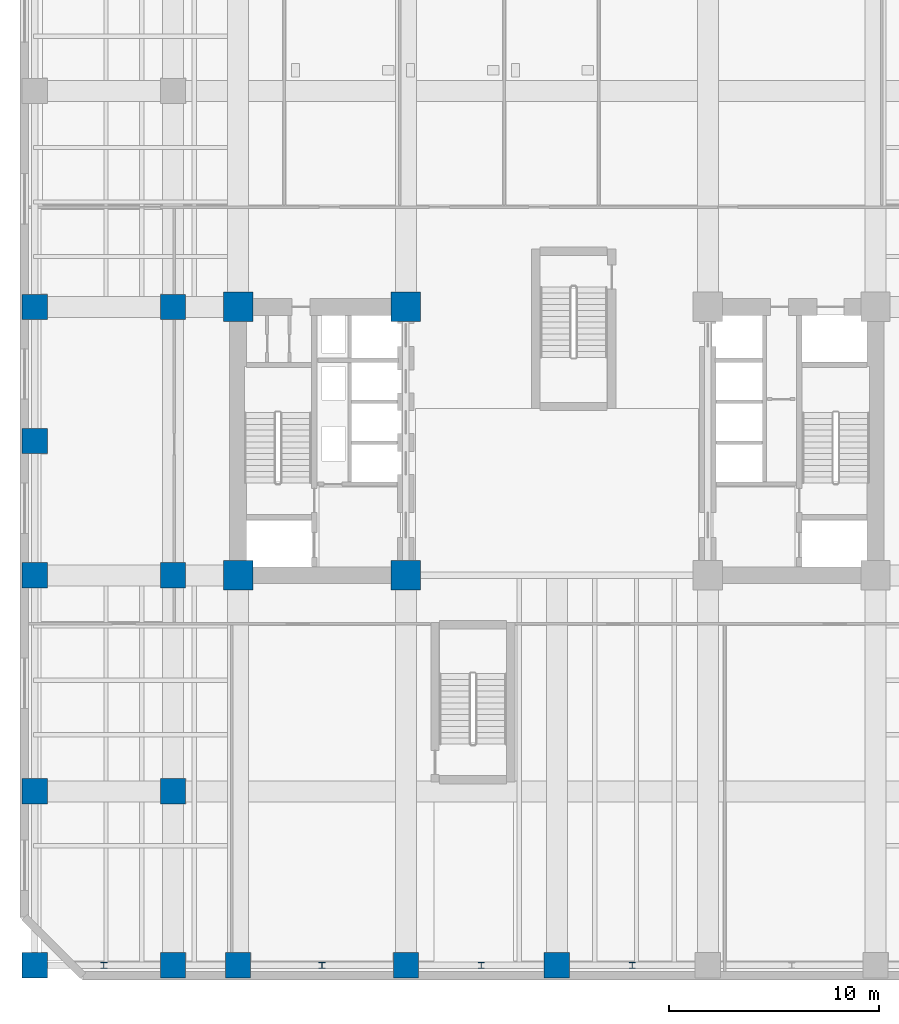
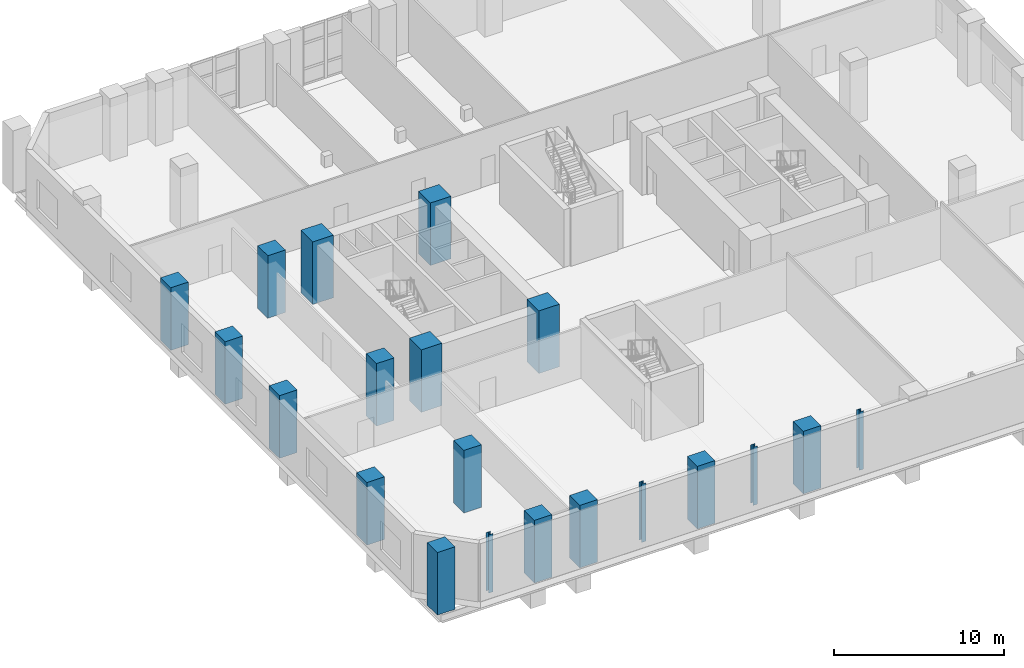
# One storey, part 1 of 15: 20 columns.
"""IFC4 building model written with IfcOpenShell, lengths in metres."""

from ifc_helpers import new_model, si_unit, direction, frame, origin, origin_2d, place, context, subcontext, project, spatial, rectangle, i_section, extrude, material, material_profile, profile_set, type_object, element, save


model = new_model("IFC4")

# Units and contexts
model_context = context("Model", 3, precision=1e-05, world=origin(), true_north=direction((0.0, 1.0)))
body_context = subcontext(model_context, "Body", "Model", "MODEL_VIEW")
ifc_project = project(units=[si_unit("LENGTHUNIT", "METRE"), si_unit("AREAUNIT", "SQUARE_METRE"), si_unit("VOLUMEUNIT", "CUBIC_METRE"), si_unit("PLANEANGLEUNIT", "RADIAN"), si_unit("MASSUNIT", "GRAM", prefix="KILO")], contexts=[model_context])

# Site, building, storey
site_placement = place(None, origin())
site = spatial("IfcSite", under=ifc_project, at=site_placement, CompositionType="ELEMENT")
building_placement = place(site_placement, origin())
building = spatial("IfcBuilding", under=site, at=building_placement, Name="Kranthara Brick Stack", CompositionType="ELEMENT")
storey_placement = place(building_placement, frame((0.0, 0.0, 5.39990234375)))
storey = spatial("IfcBuildingStorey", under=building, at=storey_placement, Name="L01", CompositionType="ELEMENT", Elevation=5.39990234375)

# Columns
ifc_material_1 = material(Name="Concrete C70/85", Category="concrete")
ifc_material_profile_1 = material_profile(ifc_material_1, rectangle(XDim=1.39990234375, YDim=1.39990234375, at=origin_2d()), Name="RC 1400x1400")
ifc_profile_set_1 = profile_set([ifc_material_profile_1], Name="Concrete C70/85")
column_type_1 = type_object("IfcColumnType", Name="COL-CORE-1400", PredefinedType="COLUMN", material=ifc_profile_set_1)
for number, where, z_axis, x_axis, name in (
    (1, (12.800048828125, 20.800048828125, 0.0), (0.0, 0.0, 1.0), (1.0, 0.0, 0.0), "L01 Column 01"),
    (2, (20.800048828125, 20.800048828125, 0.0), (0.0, 0.0, 1.0), (1.0, 0.0, 0.0), "L01 Column 02"),
    (3, (12.800048828125, 33.60009765625, 0.0), (0.0, 0.0, 1.0), (1.0, 0.0, 0.0), "L01 Column 03"),
    (4, (20.800048828125, 33.60009765625, 0.0), (0.0, 0.0, 1.0), (1.0, 0.0, 0.0), "L01 Column 04"),
):
    element("IfcColumn", number, at=place(storey_placement, frame(where, z_axis=z_axis, x_axis=x_axis)), inside=storey, type_object=column_type_1, Name=name, PredefinedType="COLUMN", context=body_context, shape_type="SweptSolid", body=[
        extrude(rectangle(XDim=1.39990234375, YDim=1.39990234375, at=origin_2d()), origin(), (0.0, 0.0, 1.0), 4.5),
    ])
ifc_material_2 = material(Name="Steel S355", Category="steel")
ifc_material_profile_2 = material_profile(ifc_material_2, i_section(OverallWidth=0.300048828125, OverallDepth=0.300048828125, WebThickness=0.010986328125, FlangeThickness=0.01904296875, at=origin_2d()), Name="HEB 300")
ifc_profile_set_2 = profile_set([ifc_material_profile_2], Name="Steel S355")
column_type_2 = type_object("IfcColumnType", Name="COL-PIL-HEB300", PredefinedType="PILASTER", material=ifc_profile_set_2)
for number, where, z_axis, x_axis, name in (
    (5, (6.39990234375, 2.199951171875, 0.0), (0.0, 0.0, 1.0), (1.0, 0.0, 0.0), "L01 Facade Pilaster 01"),
    (6, (16.800048828125, 2.199951171875, 0.0), (0.0, 0.0, 1.0), (1.0, 0.0, 0.0), "L01 Facade Pilaster 02"),
    (7, (24.39990234375, 2.199951171875, 0.0), (0.0, 0.0, 1.0), (1.0, 0.0, 0.0), "L01 Facade Pilaster 03"),
    (8, (31.60009765625, 2.199951171875, 0.0), (0.0, 0.0, 1.0), (1.0, 0.0, 0.0), "L01 Facade Pilaster 04"),
):
    element("IfcColumn", number, at=place(storey_placement, frame(where, z_axis=z_axis, x_axis=x_axis)), inside=storey, type_object=column_type_2, Name=name, PredefinedType="PILASTER", context=body_context, shape_type="SweptSolid", body=[
        extrude(i_section(OverallWidth=0.300048828125, OverallDepth=0.300048828125, WebThickness=0.010986328125, FlangeThickness=0.01904296875, at=origin_2d()), origin(), (0.0, 0.0, 1.0), 4.18017578125),
    ])
ifc_material_3 = material(Name="Concrete C70/85", Category="concrete")
ifc_material_profile_3 = material_profile(ifc_material_3, rectangle(XDim=1.199951171875, YDim=1.199951171875, at=origin_2d()), Name="RC 1200x1200")
ifc_profile_set_3 = profile_set([ifc_material_profile_3], Name="Concrete C70/85")
column_type_3 = type_object("IfcColumnType", Name="COL-RC-1200", PredefinedType="COLUMN", material=ifc_profile_set_3)
for number, where, z_axis, x_axis, name in (
    (9, (3.10009765625, 2.199951171875, 0.0), (0.0, 0.0, 1.0), (1.0, 0.0, 0.0), "L01 Column 09"),
    (10, (9.699951171875, 2.199951171875, 0.0), (0.0, 0.0, 1.0), (1.0, 0.0, 0.0), "L01 Column 11"),
    (11, (12.800048828125, 2.199951171875, 0.0), (0.0, 0.0, 1.0), (1.0, 0.0, 0.0), "L01 Column 13"),
    (12, (20.800048828125, 2.199951171875, 0.0), (0.0, 0.0, 1.0), (1.0, 0.0, 0.0), "L01 Column 15"),
    (13, (28.0, 2.199951171875, 0.0), (0.0, 0.0, 1.0), (1.0, 0.0, 0.0), "L01 Column 17"),
    (14, (3.10009765625, 10.5, 0.0), (0.0, 0.0, 1.0), (1.0, 0.0, 0.0), "L01 Column 27"),
    (15, (3.10009765625, 20.800048828125, 0.0), (0.0, 0.0, 1.0), (1.0, 0.0, 0.0), "L01 Column 29"),
    (16, (3.10009765625, 27.199951171875, 0.0), (0.0, 0.0, 1.0), (1.0, 0.0, 0.0), "L01 Column 31"),
    (17, (3.10009765625, 33.60009765625, 0.0), (0.0, 0.0, 1.0), (1.0, 0.0, 0.0), "L01 Column 33"),
    (18, (9.699951171875, 10.5, 0.0), (0.0, 0.0, 1.0), (1.0, 0.0, 0.0), "L01 Column 37"),
    (19, (9.699951171875, 20.800048828125, 0.0), (0.0, 0.0, 1.0), (1.0, 0.0, 0.0), "L01 Column 38"),
    (20, (9.699951171875, 33.60009765625, 0.0), (0.0, 0.0, 1.0), (1.0, 0.0, 0.0), "L01 Column 39"),
):
    element("IfcColumn", number, at=place(storey_placement, frame(where, z_axis=z_axis, x_axis=x_axis)), inside=storey, type_object=column_type_3, Name=name, PredefinedType="COLUMN", context=body_context, shape_type="SweptSolid", body=[
        extrude(rectangle(XDim=1.199951171875, YDim=1.199951171875, at=origin_2d()), origin(), (0.0, 0.0, 1.0), 4.5),
    ])

save(model, "model.ifc")
